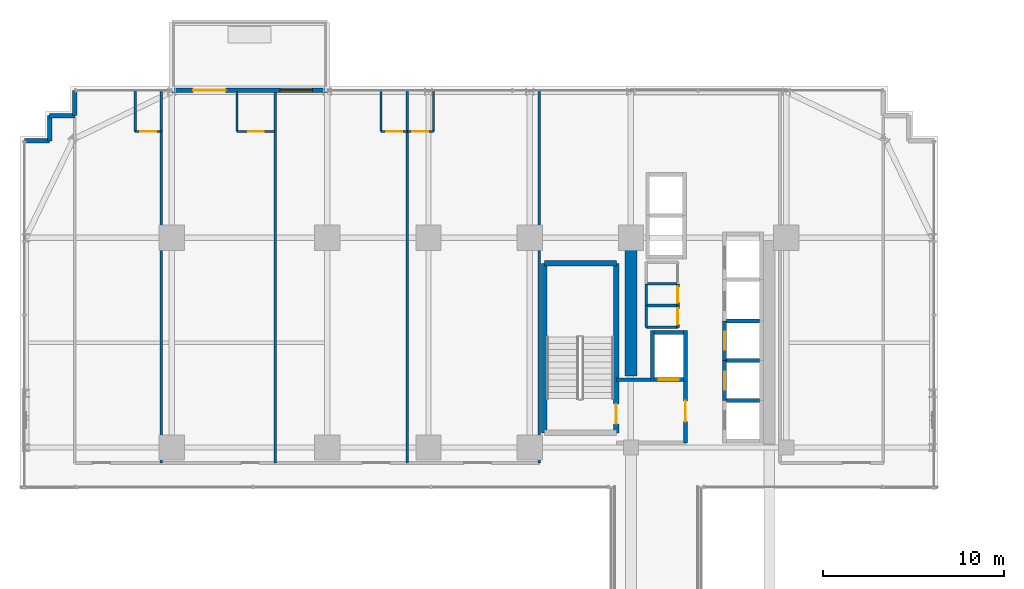
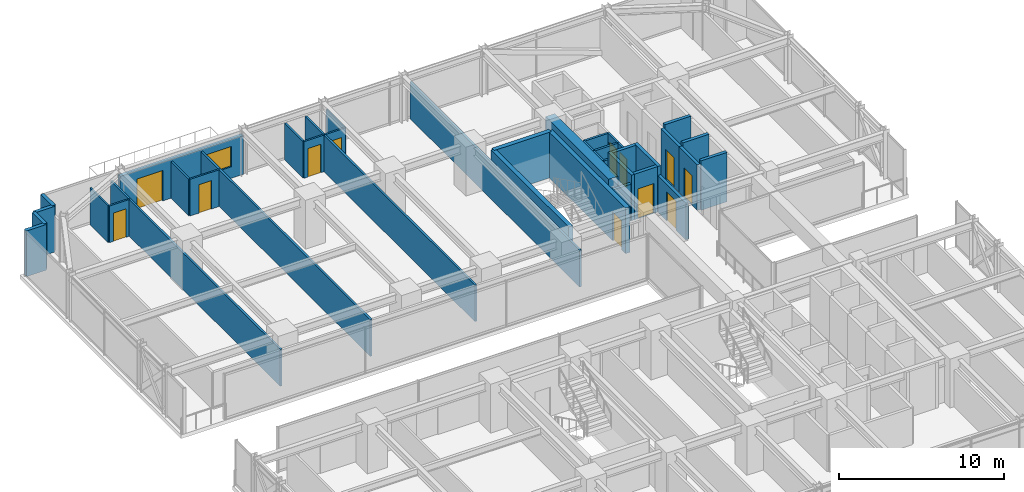
# One storey, part 36 of 41: 39 walls, 12 doors, 1 window, 13 openings.
"""IFC4 building model written with IfcOpenShell, lengths in metres."""

from ifc_helpers import new_model, si_unit, direction, frame, frame_2d, origin, place, context, subcontext, project, spatial, rectangle, extrude, source, transform, mapped, material, layer, layer_set, type_object, element, fill, save


model = new_model("IFC4")

# Units and contexts
model_context = context("Model", 3, precision=1e-05, world=origin(), true_north=direction((0.0, 1.0)))
body_context = subcontext(model_context, "Body", "Model", "MODEL_VIEW")
ifc_project = project(units=[si_unit("LENGTHUNIT", "METRE"), si_unit("AREAUNIT", "SQUARE_METRE"), si_unit("VOLUMEUNIT", "CUBIC_METRE"), si_unit("PLANEANGLEUNIT", "RADIAN"), si_unit("MASSUNIT", "GRAM", prefix="KILO")], contexts=[model_context])

# Site, building, storey
site_placement = place(None, origin())
site = spatial("IfcSite", under=ifc_project, at=site_placement, CompositionType="ELEMENT")
building_placement = place(site_placement, origin())
building = spatial("IfcBuilding", under=site, at=building_placement, Name="Nahalor Promenade Grand Hotel", CompositionType="ELEMENT")
storey_placement = place(building_placement, frame((0.0, 0.0, 54.300048828125)))
storey = spatial("IfcBuildingStorey", under=building, at=storey_placement, Name="L12", CompositionType="ELEMENT", Elevation=54.300048828125)

# Walls
ifc_material_1 = material(Name="Concrete B-60 (C50/60)", Category="concrete")
ifc_layer_1 = layer(ifc_material_1, 0.64990234375)
ifc_layer_set_1 = layer_set([ifc_layer_1], Name="Concrete B-60 (C50/60)")
wall_type_1 = type_object("IfcWallType", Name="Wall-CoreShear-650", PredefinedType="SHEAR", material=ifc_layer_set_1)
shared_shape_1 = source(origin(), body_context, "Body", "SweptSolid", [
    extrude(rectangle(XDim=7.64990234375, YDim=0.64990234375, at=frame_2d((3.824951171875, 0.0))), origin(), (0.0, 0.0, 1.0), 3.369873046875),
])
wall_1_placement = place(storey_placement, frame((8.39990234375, 9.35009765625, 0.0), z_axis=(0.0, 0.0, 1.0), x_axis=(0.0, 1.0, 0.0)))
element("IfcWall", 1, at=wall_1_placement, inside=storey, type_object=wall_type_1, Name="CWALL-L12-NW", PredefinedType="SHEAR", context=body_context, shape_type="MappedRepresentation", body=[
    mapped(shared_shape_1, transform((0.0, 0.0, 0.0), scale=1.0)),
])
ifc_material_2 = material(Name="Concrete B-50 (C40/50)", Category="concrete")
ifc_layer_2 = layer(ifc_material_2, 0.300048828125)
ifc_layer_set_2 = layer_set([ifc_layer_2], Name="Concrete B-50 (C40/50)")
wall_type_2 = type_object("IfcWallType", Name="Wall-ShaftShear-300", PredefinedType="SHEAR", material=ifc_layer_set_2)
shared_shape_2 = source(origin(), body_context, "Body", "SweptSolid", [
    extrude(rectangle(XDim=3.97998046875, YDim=0.300048828125, at=frame_2d((1.989990234375, 0.0))), origin(), (0.0, 0.0, 1.0), 3.369873046875),
])
wall_2_placement = place(storey_placement, frame((3.610107421875, 15.590087890625, 0.0), z_axis=(0.0, 0.0, 1.0), x_axis=(1.0, 0.0, 0.0)))
element("IfcWall", 2, at=wall_2_placement, inside=storey, type_object=wall_type_2, Name="L12 Exit Stair ST1 Shaft Wall N", PredefinedType="SHEAR", context=body_context, shape_type="MappedRepresentation", body=[
    mapped(shared_shape_2, transform((0.0, 0.0, 0.0), scale=1.0)),
])
shared_shape_3 = source(origin(), body_context, "Body", "SweptSolid", [
    extrude(rectangle(XDim=9.380126953125, YDim=0.300048828125, at=frame_2d((4.68994140625, 0.0))), origin(), (0.0, 0.0, 1.0), 3.369873046875),
])
wall_3_placement = place(storey_placement, frame((3.610107421875, 6.2099609375, 0.0), z_axis=(0.0, 0.0, 1.0), x_axis=(0.0, 1.0, 0.0)))
element("IfcWall", 3, at=wall_3_placement, inside=storey, type_object=wall_type_2, Name="L12 Exit Stair ST1 Shaft Wall W", PredefinedType="SHEAR", context=body_context, shape_type="MappedRepresentation", body=[
    mapped(shared_shape_3, transform((0.0, 0.0, 0.0), scale=1.0)),
])

# Wall, opening, door
wall_4_placement = place(storey_placement, frame((7.590087890625, 6.2099609375, 0.0), z_axis=(0.0, 0.0, 1.0), x_axis=(0.0, 1.0, 0.0)))
wall_4 = element("IfcWall", 4, at=wall_4_placement, inside=storey, type_object=wall_type_2, Name="L12 Exit Stair ST1 Shaft Wall E", PredefinedType="SHEAR", context=body_context, shape_type="MappedRepresentation", body=[
    mapped(shared_shape_3, transform((0.0, 0.0, 0.0), scale=1.0)),
])
opening_1_placement = place(wall_4_placement, frame((0.489990234375, 0.0, 0.0)))
opening_1 = element("IfcOpeningElement", 5, at=opening_1_placement, cuts=wall_4, Name="Opening D-ST1", PredefinedType="OPENING", context=body_context, shape_type="SweptSolid", body=[
    extrude(rectangle(XDim=1.10009765625, YDim=2.14990234375, at=frame_2d((0.550048828125, 1.074951171875))), frame((0.0, 0.159912109375, 0.0), z_axis=(0.0, -1.0, 0.0), x_axis=(1.0, 0.0, 0.0)), (0.0, 0.0, 1.0), 0.320068359375),
])
ifc_material_3 = material(Name="Steel S355JR", Category="steel")
door_type_1 = type_object("IfcDoorType", Name="Door-StairFire-1100", OperationType="NOTDEFINED", PredefinedType="DOOR", material=ifc_material_3)
shared_shape_4 = source(origin(), body_context, "Body", "SweptSolid", [
    extrude(rectangle(XDim=1.10009765625, YDim=2.14990234375, at=frame_2d((0.550048828125, 1.074951171875))), frame((0.0, 0.02490234375, 0.0), z_axis=(0.0, -1.0, 0.0), x_axis=(1.0, 0.0, 0.0)), (0.0, 0.0, 1.0), 0.050048828125),
])
door_1_placement = place(opening_1_placement, origin())
door_1 = element("IfcDoor", 6, at=door_1_placement, inside=storey, type_object=door_type_1, Name="DR-STAIR-ST1-L12", OperationType="SINGLE_SWING_LEFT", OverallHeight=2.14990234375, OverallWidth=1.10009765625, PredefinedType="DOOR", context=body_context, shape_type="MappedRepresentation", body=[
    mapped(shared_shape_4, transform((0.0, 0.0, 0.0), scale=1.0)),
])
fill(opening_1, door_1)

# Walls
ifc_layer_3 = layer(ifc_material_2, 0.219970703125)
ifc_layer_set_3 = layer_set([ifc_layer_3], Name="Concrete B-50 (C40/50)")
wall_type_3 = type_object("IfcWallType", Name="Wall-LiftShaft-220", PredefinedType="SHEAR", material=ifc_layer_set_3)
shared_shape_5 = source(origin(), body_context, "Body", "SweptSolid", [
    extrude(rectangle(XDim=1.820068359375, YDim=0.219970703125, at=frame_2d((0.91015625, 0.0))), origin(), (0.0, 0.0, 1.0), 3.64990234375),
])
for number, where, z_axis, x_axis, name in (
    (7, (13.68994140625, 8.0, 0.0), (0.0, 0.0, 1.0), (1.0, 0.0, 0.0), "L12 Lift PL1 Hoistway Wall N"),
    (8, (13.68994140625, 10.199951171875, 0.0), (0.0, 0.0, 1.0), (1.0, 0.0, 0.0), "L12 Lift PL2 Hoistway Wall N"),
    (9, (13.68994140625, 12.39990234375, 0.0), (0.0, 0.0, 1.0), (1.0, 0.0, 0.0), "L12 Lift PL3 Hoistway Wall N"),
):
    element("IfcWall", number, at=place(storey_placement, frame(where, z_axis=z_axis, x_axis=x_axis)), inside=storey, type_object=wall_type_3, Name=name, PredefinedType="SHEAR", context=body_context, shape_type="MappedRepresentation", body=[
        mapped(shared_shape_5, transform((0.0, 0.0, 0.0), scale=1.0)),
    ])

# Wall, opening, door
shared_shape_6 = source(origin(), body_context, "Body", "SweptSolid", [
    extrude(rectangle(XDim=2.199951171875, YDim=0.219970703125, at=frame_2d((1.10009765625, 0.0))), origin(), (0.0, 0.0, 1.0), 3.369873046875),
])
wall_5_placement = place(storey_placement, frame((13.580078125, 8.0, 0.0), z_axis=(0.0, 0.0, 1.0), x_axis=(0.0, 1.0, 0.0)))
wall_5 = element("IfcWall", 10, at=wall_5_placement, inside=storey, type_object=wall_type_3, Name="L12 Lift PL2 Hoistway Wall W", PredefinedType="SHEAR", context=body_context, shape_type="MappedRepresentation", body=[
    mapped(shared_shape_6, transform((0.0, 0.0, 0.0), scale=1.0)),
])
opening_2_placement = place(wall_5_placement, frame((0.60009765625, 0.0, 0.0)))
opening_2 = element("IfcOpeningElement", 11, at=opening_2_placement, cuts=wall_5, Name="Opening LD-01", PredefinedType="OPENING", context=body_context, shape_type="SweptSolid", body=[
    extrude(rectangle(XDim=1.0, YDim=2.199951171875, at=frame_2d((0.5, 1.10009765625))), frame((0.0, 0.119873046875, 0.0), z_axis=(0.0, -1.0, 0.0), x_axis=(1.0, 0.0, 0.0)), (0.0, 0.0, 1.0), 0.239990234375),
])
door_type_2 = type_object("IfcDoorType", Name="Door-LiftLanding-1000", OperationType="DOUBLE_DOOR_SLIDING", PredefinedType="DOOR", material=ifc_material_3)
shared_shape_7 = source(origin(), body_context, "Body", "SweptSolid", [
    extrude(rectangle(XDim=1.0, YDim=2.199951171875, at=frame_2d((0.5, 1.10009765625))), frame((0.0, 0.02490234375, 0.0), z_axis=(0.0, -1.0, 0.0), x_axis=(1.0, 0.0, 0.0)), (0.0, 0.0, 1.0), 0.050048828125),
])
door_2_placement = place(opening_2_placement, origin())
door_2 = element("IfcDoor", 12, at=door_2_placement, inside=storey, type_object=door_type_2, Name="DR-LIFT-PL2-L12", OperationType="DOUBLE_DOOR_SLIDING", OverallHeight=2.199951171875, OverallWidth=1.0, PredefinedType="DOOR", context=body_context, shape_type="MappedRepresentation", body=[
    mapped(shared_shape_7, transform((0.0, 0.0, 0.0), scale=1.0)),
])
fill(opening_2, door_2)

wall_6_placement = place(storey_placement, frame((13.580078125, 10.199951171875, 0.0), z_axis=(0.0, 0.0, 1.0), x_axis=(0.0, 1.0, 0.0)))
wall_6 = element("IfcWall", 13, at=wall_6_placement, inside=storey, type_object=wall_type_3, Name="L12 Lift PL3 Hoistway Wall W", PredefinedType="SHEAR", context=body_context, shape_type="MappedRepresentation", body=[
    mapped(shared_shape_6, transform((0.0, 0.0, 0.0), scale=1.0)),
])
opening_3_placement = place(wall_6_placement, frame((0.60009765625, 0.0, 0.0)))
opening_3 = element("IfcOpeningElement", 14, at=opening_3_placement, cuts=wall_6, Name="Opening LD-01", PredefinedType="OPENING", context=body_context, shape_type="SweptSolid", body=[
    extrude(rectangle(XDim=1.0, YDim=2.199951171875, at=frame_2d((0.5, 1.10009765625))), frame((0.0, 0.119873046875, 0.0), z_axis=(0.0, -1.0, 0.0), x_axis=(1.0, 0.0, 0.0)), (0.0, 0.0, 1.0), 0.239990234375),
])
door_3_placement = place(opening_3_placement, origin())
door_3 = element("IfcDoor", 15, at=door_3_placement, inside=storey, type_object=door_type_2, Name="DR-LIFT-PL3-L12", OperationType="DOUBLE_DOOR_SLIDING", OverallHeight=2.199951171875, OverallWidth=1.0, PredefinedType="DOOR", context=body_context, shape_type="MappedRepresentation", body=[
    mapped(shared_shape_7, transform((0.0, 0.0, 0.0), scale=1.0)),
])
fill(opening_3, door_3)

# Walls
shared_shape_8 = source(origin(), body_context, "Body", "SweptSolid", [
    extrude(rectangle(XDim=2.820068359375, YDim=0.219970703125, at=frame_2d((1.41015625, 0.0))), origin(), (0.0, 0.0, 1.0), 3.369873046875),
])
for number, where, z_axis, x_axis, name in (
    (16, (9.580078125, 9.0400390625, 0.0), (0.0, 0.0, 1.0), (0.0, 1.0, 0.0), "L12 Lift FL1 Hoistway Wall W"),
    (17, (11.419921875, 9.0400390625, 0.0), (0.0, 0.0, 1.0), (0.0, 1.0, 0.0), "L12 Lift FL1 Hoistway Wall E"),
):
    element("IfcWall", number, at=place(storey_placement, frame(where, z_axis=z_axis, x_axis=x_axis)), inside=storey, type_object=wall_type_3, Name=name, PredefinedType="SHEAR", context=body_context, shape_type="MappedRepresentation", body=[
        mapped(shared_shape_8, transform((0.0, 0.0, 0.0), scale=1.0)),
    ])

# Wall, opening, door
shared_shape_9 = source(origin(), body_context, "Body", "SweptSolid", [
    extrude(rectangle(XDim=1.6201171875, YDim=0.219970703125, at=frame_2d((0.81005859375, 0.0))), origin(), (0.0, 0.0, 1.0), 3.369873046875),
])
wall_7_placement = place(storey_placement, frame((9.68994140625, 9.14990234375, 0.0), z_axis=(0.0, 0.0, 1.0), x_axis=(1.0, 0.0, 0.0)))
wall_7 = element("IfcWall", 18, at=wall_7_placement, inside=storey, type_object=wall_type_3, Name="L12 Lift FL1 Hoistway Wall S", PredefinedType="SHEAR", context=body_context, shape_type="MappedRepresentation", body=[
    mapped(shared_shape_9, transform((0.0, 0.0, 0.0), scale=1.0)),
])
opening_4_placement = place(wall_7_placement, frame((0.260009765625, 0.0, 0.0)))
opening_4 = element("IfcOpeningElement", 19, at=opening_4_placement, cuts=wall_7, Name="Opening LD-02", PredefinedType="OPENING", context=body_context, shape_type="SweptSolid", body=[
    extrude(rectangle(XDim=1.10009765625, YDim=2.199951171875, at=frame_2d((0.550048828125, 1.10009765625))), frame((0.0, 0.119873046875, 0.0), z_axis=(0.0, -1.0, 0.0), x_axis=(1.0, 0.0, 0.0)), (0.0, 0.0, 1.0), 0.239990234375),
])
door_type_3 = type_object("IfcDoorType", Name="Door-LiftFF-1100", OperationType="DOUBLE_DOOR_SLIDING", PredefinedType="DOOR", material=ifc_material_3)
shared_shape_10 = source(origin(), body_context, "Body", "SweptSolid", [
    extrude(rectangle(XDim=1.10009765625, YDim=2.199951171875, at=frame_2d((0.550048828125, 1.10009765625))), frame((0.0, 0.02490234375, 0.0), z_axis=(0.0, -1.0, 0.0), x_axis=(1.0, 0.0, 0.0)), (0.0, 0.0, 1.0), 0.050048828125),
])
door_4_placement = place(opening_4_placement, frame((1.10009765625, 0.0, 0.0), z_axis=(0.0, 0.0, 1.0), x_axis=(-1.0, 0.0, 0.0)))
door_4 = element("IfcDoor", 20, at=door_4_placement, inside=storey, type_object=door_type_3, Name="DR-LIFT-FL1-L12", OperationType="DOUBLE_DOOR_SLIDING", OverallHeight=2.199951171875, OverallWidth=1.10009765625, PredefinedType="DOOR", context=body_context, shape_type="MappedRepresentation", body=[
    mapped(shared_shape_10, transform((0.0, 0.0, 0.0), scale=1.0)),
])
fill(opening_4, door_4)

# Walls
wall_8_placement = place(storey_placement, frame((9.68994140625, 11.75, 0.0), z_axis=(0.0, 0.0, 1.0), x_axis=(1.0, 0.0, 0.0)))
element("IfcWall", 21, at=wall_8_placement, inside=storey, type_object=wall_type_3, Name="L12 Lift FL1 Hoistway Wall N", PredefinedType="SHEAR", context=body_context, shape_type="MappedRepresentation", body=[
    mapped(shared_shape_9, transform((0.0, 0.0, 0.0), scale=1.0)),
])
ifc_material_4 = material(Name="Concrete B-40 (C32/40)", Category="concrete")
ifc_layer_4 = layer(ifc_material_4, 0.25)
ifc_layer_set_4 = layer_set([ifc_layer_4], Name="Concrete B-40 (C32/40)")
wall_type_4 = type_object("IfcWallType", Name="Wall-BronzePier-250", PredefinedType="STANDARD", material=ifc_layer_set_4)
shared_shape_11 = source(origin(), body_context, "Body", "SweptSolid", [
    extrude(rectangle(XDim=1.39990234375, YDim=0.25, at=frame_2d((0.699951171875, 0.0))), origin(), (0.0, 0.0, 1.0), 3.369873046875),
])
for number, where, z_axis, x_axis, name in (
    (22, (-22.360107421875, 23.760009765625, 0.0), (0.0, 0.0, 1.0), (0.0, 1.0, 0.0), "W-L12-SR-09"),
    (23, (-23.760009765625, 23.760009765625, 0.0), (0.0, 0.0, 1.0), (1.0, 0.0, 0.0), "W-L12-SR-10"),
    (24, (-23.760009765625, 22.360107421875, 0.0), (0.0, 0.0, 1.0), (0.0, 1.0, 0.0), "W-L12-SR-11"),
    (25, (-25.159912109375, 22.360107421875, 0.0), (0.0, 0.0, 1.0), (1.0, 0.0, 0.0), "W-L12-SR-12"),
):
    element("IfcWall", number, at=place(storey_placement, frame(where, z_axis=z_axis, x_axis=x_axis)), inside=storey, type_object=wall_type_4, Name=name, PredefinedType="STANDARD", context=body_context, shape_type="MappedRepresentation", body=[
        mapped(shared_shape_11, transform((0.0, 0.0, 0.0), scale=1.0)),
    ])

# Wall, openings, door, window
ifc_layer_5 = layer(ifc_material_4, 0.260009765625)
ifc_layer_set_5 = layer_set([ifc_layer_5], Name="Concrete B-40 (C32/40)")
wall_type_5 = type_object("IfcWallType", Name="Wall-BalconyWall-260", PredefinedType="STANDARD", material=ifc_layer_set_5)
shared_shape_12 = source(origin(), body_context, "Body", "SweptSolid", [
    extrude(rectangle(XDim=8.60009765625, YDim=0.260009765625, at=frame_2d((4.300048828125, 0.0))), origin(), (0.0, 0.0, 1.0), 2.849853515625),
])
wall_9_placement = place(storey_placement, frame((-17.0, 25.159912109375, 0.0), z_axis=(0.0, 0.0, 1.0), x_axis=(1.0, 0.0, 0.0)))
wall_9 = element("IfcWall", 26, at=wall_9_placement, inside=storey, type_object=wall_type_5, Name="W-L12-BALC-N-2", PredefinedType="STANDARD", context=body_context, shape_type="MappedRepresentation", body=[
    mapped(shared_shape_12, transform((0.0, 0.0, 0.0), scale=1.0)),
])
opening_5_placement = place(wall_9_placement, frame((1.176025390625, 0.0, 0.0)))
opening_5 = element("IfcOpeningElement", 27, at=opening_5_placement, cuts=wall_9, Name="Opening D-BC1", PredefinedType="OPENING", context=body_context, shape_type="SweptSolid", body=[
    extrude(rectangle(XDim=1.800048828125, YDim=2.25, at=frame_2d((0.89990234375, 1.125))), frame((0.0, 0.139892578125, 0.0), z_axis=(0.0, -1.0, 0.0), x_axis=(1.0, 0.0, 0.0)), (0.0, 0.0, 1.0), 0.280029296875),
])
opening_6_placement = place(wall_9_placement, frame((5.98095703125, 0.0, 0.85009765625)))
opening_6 = element("IfcOpeningElement", 28, at=opening_6_placement, cuts=wall_9, Name="Opening WN-01", PredefinedType="OPENING", context=body_context, shape_type="SweptSolid", body=[
    extrude(rectangle(XDim=1.800048828125, YDim=1.5, at=frame_2d((0.89990234375, 0.75))), frame((0.0, 0.139892578125, 0.0), z_axis=(0.0, -1.0, 0.0), x_axis=(1.0, 0.0, 0.0)), (0.0, 0.0, 1.0), 0.280029296875),
])
ifc_material_5 = material(Name="Anodised Bronze Aluminium EN AW-6063 T6", Category="aluminium")
door_type_4 = type_object("IfcDoorType", Name="Door-BalconySlide-1800", OperationType="DOUBLE_DOOR_SLIDING", PredefinedType="DOOR", material=ifc_material_5)
shared_shape_13 = source(origin(), body_context, "Body", "SweptSolid", [
    extrude(rectangle(XDim=1.800048828125, YDim=2.25, at=frame_2d((0.89990234375, 1.125))), frame((0.0, 0.02490234375, 0.0), z_axis=(0.0, -1.0, 0.0), x_axis=(1.0, 0.0, 0.0)), (0.0, 0.0, 1.0), 0.050048828125),
])
door_5_placement = place(opening_5_placement, origin())
door_5 = element("IfcDoor", 29, at=door_5_placement, inside=storey, type_object=door_type_4, Name="DR-L12-BALC-N-2", OperationType="DOUBLE_DOOR_SLIDING", OverallHeight=2.25, OverallWidth=1.800048828125, PredefinedType="DOOR", context=body_context, shape_type="MappedRepresentation", body=[
    mapped(shared_shape_13, transform((0.0, 0.0, 0.0), scale=1.0)),
])
fill(opening_5, door_5)
ifc_material_6 = material(Name="Low-E Laminated Solar Glass", Category="glass")
window_type = type_object("IfcWindowType", Name="Win-ChicagoBay-1800x1500", PartitioningType="SINGLE_PANEL", PredefinedType="WINDOW", material=ifc_material_6)
shared_shape_14 = source(origin(), body_context, "Body", "SweptSolid", [
    extrude(rectangle(XDim=1.800048828125, YDim=1.5, at=frame_2d((0.89990234375, 0.75))), frame((0.0, 0.030029296875, 0.0), z_axis=(0.0, -1.0, 0.0), x_axis=(1.0, 0.0, 0.0)), (0.0, 0.0, 1.0), 0.06005859375),
])
window_placement = place(opening_6_placement, origin())
window = element("IfcWindow", 30, at=window_placement, inside=storey, type_object=window_type, Name="WN-L12-BALC-N-2-1", OverallHeight=1.5, OverallWidth=1.800048828125, PartitioningType="SINGLE_PANEL", PredefinedType="WINDOW", context=body_context, shape_type="MappedRepresentation", body=[
    mapped(shared_shape_14, transform((0.0, 0.0, 0.0), scale=1.0)),
])
fill(opening_6, window)

# Wall
ifc_layer_6 = layer(ifc_material_4, 0.199951171875)
ifc_layer_set_6 = layer_set([ifc_layer_6], Name="Concrete B-40 (C32/40)")
wall_type_6 = type_object("IfcWallType", Name="Wall-PartFire-200", PredefinedType="PARTITIONING", material=ifc_layer_set_6)
shared_shape_15 = source(origin(), body_context, "Body", "SweptSolid", [
    extrude(rectangle(XDim=1.89990234375, YDim=0.199951171875, at=frame_2d((0.949951171875, 0.0))), origin(), (0.0, 0.0, 1.0), 2.7099609375),
])
wall_10_placement = place(storey_placement, frame((7.60009765625, 9.14990234375, 0.0), z_axis=(0.0, 0.0, 1.0), x_axis=(1.0, 0.0, 0.0)))
element("IfcWall", 31, at=wall_10_placement, inside=storey, type_object=wall_type_6, Name="W-L12-FF1-N", PredefinedType="PARTITIONING", context=body_context, shape_type="MappedRepresentation", body=[
    mapped(shared_shape_15, transform((0.0, 0.0, 0.0), scale=1.0)),
])

# Wall, opening, door
shared_shape_16 = source(origin(), body_context, "Body", "SweptSolid", [
    extrude(rectangle(XDim=3.5, YDim=0.199951171875, at=frame_2d((1.75, 0.0))), origin(), (0.0, 0.0, 1.0), 2.7099609375),
])
wall_11_placement = place(storey_placement, frame((11.419921875, 5.64990234375, 0.0), z_axis=(0.0, 0.0, 1.0), x_axis=(0.0, 1.0, 0.0)))
wall_11 = element("IfcWall", 32, at=wall_11_placement, inside=storey, type_object=wall_type_6, Name="W-L12-FF1-E", PredefinedType="PARTITIONING", context=body_context, shape_type="MappedRepresentation", body=[
    mapped(shared_shape_16, transform((0.0, 0.0, 0.0), scale=1.0)),
])
opening_7_placement = place(wall_11_placement, frame((1.175048828125, 0.0, 0.0)))
opening_7 = element("IfcOpeningElement", 33, at=opening_7_placement, cuts=wall_11, Name="Opening D-FF1", PredefinedType="OPENING", context=body_context, shape_type="SweptSolid", body=[
    extrude(rectangle(XDim=1.14990234375, YDim=2.14990234375, at=frame_2d((0.574951171875, 1.074951171875))), frame((0.0, 0.10986328125, 0.0), z_axis=(0.0, -1.0, 0.0), x_axis=(1.0, 0.0, 0.0)), (0.0, 0.0, 1.0), 0.219970703125),
])
door_type_5 = type_object("IfcDoorType", Name="Door-FFLobby-1150", OperationType="NOTDEFINED", PredefinedType="DOOR", material=ifc_material_3)
shared_shape_17 = source(origin(), body_context, "Body", "SweptSolid", [
    extrude(rectangle(XDim=1.14990234375, YDim=2.14990234375, at=frame_2d((0.574951171875, 1.074951171875))), frame((0.0, 0.02490234375, 0.0), z_axis=(0.0, -1.0, 0.0), x_axis=(1.0, 0.0, 0.0)), (0.0, 0.0, 1.0), 0.050048828125),
])
door_6_placement = place(opening_7_placement, frame((1.14990234375, 0.0, 0.0), z_axis=(0.0, 0.0, 1.0), x_axis=(-1.0, 0.0, 0.0)))
door_6 = element("IfcDoor", 34, at=door_6_placement, inside=storey, type_object=door_type_5, Name="DR-L12-FFL1", OperationType="SINGLE_SWING_LEFT", OverallHeight=2.14990234375, OverallWidth=1.14990234375, PredefinedType="DOOR", context=body_context, shape_type="MappedRepresentation", body=[
    mapped(shared_shape_17, transform((0.0, 0.0, 0.0), scale=1.0)),
])
fill(opening_7, door_6)

# Walls
ifc_material_7 = material(Name="Acoustic Mineral Gypsum", Category="gypsum")
ifc_layer_7 = layer(ifc_material_7, 0.14990234375)
ifc_layer_set_7 = layer_set([ifc_layer_7], Name="Acoustic Mineral Gypsum")
wall_type_7 = type_object("IfcWallType", Name="Wall-PartService-150", PredefinedType="PARTITIONING", material=ifc_layer_set_7)
shared_shape_18 = source(origin(), body_context, "Body", "SweptSolid", [
    extrude(rectangle(XDim=1.75, YDim=0.14990234375, at=frame_2d((0.875, 0.0))), origin(), (0.0, 0.0, 1.0), 2.7099609375),
])
for number, where, z_axis, x_axis, name in (
    (35, (9.25, 12.050048828125, 0.0), (0.0, 0.0, 1.0), (1.0, 0.0, 0.0), "W-L12-CK3A-S"),
    (36, (9.25, 13.25, 0.0), (0.0, 0.0, 1.0), (1.0, 0.0, 0.0), "W-L12-CK3A-N"),
    (37, (9.25, 14.449951171875, 0.0), (0.0, 0.0, 1.0), (1.0, 0.0, 0.0), "W-L12-CK3B-N"),
):
    element("IfcWall", number, at=place(storey_placement, frame(where, z_axis=z_axis, x_axis=x_axis)), inside=storey, type_object=wall_type_7, Name=name, PredefinedType="PARTITIONING", context=body_context, shape_type="MappedRepresentation", body=[
        mapped(shared_shape_18, transform((0.0, 0.0, 0.0), scale=1.0)),
    ])
ifc_layer_8 = layer(ifc_material_7, 0.139892578125)
ifc_layer_set_8 = layer_set([ifc_layer_8], Name="Acoustic Mineral Gypsum")
wall_type_8 = type_object("IfcWallType", Name="Wall-PartSuite-140", PredefinedType="PARTITIONING", material=ifc_layer_set_8)
shared_shape_19 = source(origin(), body_context, "Body", "SweptSolid", [
    extrude(rectangle(XDim=20.550048828125, YDim=0.139892578125, at=frame_2d((10.27490234375, 0.0))), origin(), (0.0, 0.0, 1.0), 2.7099609375),
])
for number, where, z_axis, x_axis, name in (
    (38, (3.340087890625, 4.550048828125, 0.0), (0.0, 0.0, 1.0), (0.0, 1.0, 0.0), "W-L12-NW-ENDE"),
    (39, (-17.573974609375, 4.550048828125, 0.0), (0.0, 0.0, 1.0), (0.0, 1.0, 0.0), "W-L12-NP-1"),
    (40, (-11.2880859375, 4.550048828125, 0.0), (0.0, 0.0, 1.0), (0.0, 1.0, 0.0), "W-L12-NP-2"),
    (41, (-3.97412109375, 4.550048828125, 0.0), (0.0, 0.0, 1.0), (0.0, 1.0, 0.0), "W-L12-NP-3"),
):
    element("IfcWall", number, at=place(storey_placement, frame(where, z_axis=z_axis, x_axis=x_axis)), inside=storey, type_object=wall_type_8, Name=name, PredefinedType="PARTITIONING", context=body_context, shape_type="MappedRepresentation", body=[
        mapped(shared_shape_19, transform((0.0, 0.0, 0.0), scale=1.0)),
    ])

# Wall, opening, door
ifc_layer_9 = layer(ifc_material_7, 0.1201171875)
ifc_layer_set_9 = layer_set([ifc_layer_9], Name="Acoustic Mineral Gypsum")
wall_type_9 = type_object("IfcWallType", Name="Wall-PartBath-120", PredefinedType="PARTITIONING", material=ifc_layer_set_9)
shared_shape_20 = source(origin(), body_context, "Body", "SweptSolid", [
    extrude(rectangle(XDim=1.4501953125, YDim=0.1201171875, at=frame_2d((0.72509765625, 0.0))), origin(), (0.0, 0.0, 1.0), 2.7099609375),
])
wall_12_placement = place(storey_placement, frame((-3.97412109375, 22.8798828125, 0.0), z_axis=(0.0, 0.0, 1.0), x_axis=(1.0, 0.0, 0.0)))
wall_12 = element("IfcWall", 42, at=wall_12_placement, inside=storey, type_object=wall_type_9, Name="W-L12-N4-BH", PredefinedType="PARTITIONING", context=body_context, shape_type="MappedRepresentation", body=[
    mapped(shared_shape_20, transform((0.0, 0.0, 0.0), scale=1.0)),
])
opening_8_placement = place(wall_12_placement, frame((0.284912109375, 0.0, 0.0)))
opening_8 = element("IfcOpeningElement", 43, at=opening_8_placement, cuts=wall_12, Name="Opening D-03", PredefinedType="OPENING", context=body_context, shape_type="SweptSolid", body=[
    extrude(rectangle(XDim=0.8798828125, YDim=2.10009765625, at=frame_2d((0.43994140625, 1.050048828125))), frame((0.0, 0.070068359375, 0.0), z_axis=(0.0, -1.0, 0.0), x_axis=(1.0, 0.0, 0.0)), (0.0, 0.0, 1.0), 0.14013671875),
])
ifc_material_8 = material(Name="Fire-Rated Timber Composite", Category="wood")
door_type_6 = type_object("IfcDoorType", Name="Door-BathSwing-880", OperationType="NOTDEFINED", PredefinedType="DOOR", material=ifc_material_8)
shared_shape_21 = source(origin(), body_context, "Body", "SweptSolid", [
    extrude(rectangle(XDim=0.8798828125, YDim=2.10009765625, at=frame_2d((0.43994140625, 1.050048828125))), frame((0.0, 0.02490234375, 0.0), z_axis=(0.0, -1.0, 0.0), x_axis=(1.0, 0.0, 0.0)), (0.0, 0.0, 1.0), 0.050048828125),
])
door_7_placement = place(opening_8_placement, origin())
door_7 = element("IfcDoor", 44, at=door_7_placement, inside=storey, type_object=door_type_6, Name="DR-L12-N4-BATH", OperationType="SINGLE_SWING_LEFT", OverallHeight=2.10009765625, OverallWidth=0.8798828125, PredefinedType="DOOR", context=body_context, shape_type="MappedRepresentation", body=[
    mapped(shared_shape_21, transform((0.0, 0.0, 0.0), scale=1.0)),
])
fill(opening_8, door_7)

# Walls
shared_shape_22 = source(origin(), body_context, "Body", "SweptSolid", [
    extrude(rectangle(XDim=2.22021484375, YDim=0.1201171875, at=frame_2d((1.110107421875, 0.0))), origin(), (0.0, 0.0, 1.0), 2.7099609375),
])
for number, where, z_axis, x_axis, name in (
    (45, (-19.02392578125, 22.8798828125, 0.0), (0.0, 0.0, 1.0), (0.0, 1.0, 0.0), "W-L12-N1-BV"),
    (46, (-13.39794921875, 22.8798828125, 0.0), (0.0, 0.0, 1.0), (0.0, 1.0, 0.0), "W-L12-N2-BV"),
    (47, (-5.424072265625, 22.8798828125, 0.0), (0.0, 0.0, 1.0), (0.0, 1.0, 0.0), "W-L12-N3-BV"),
    (48, (-2.52392578125, 22.8798828125, 0.0), (0.0, 0.0, 1.0), (0.0, 1.0, 0.0), "W-L12-N4-BV"),
):
    element("IfcWall", number, at=place(storey_placement, frame(where, z_axis=z_axis, x_axis=x_axis)), inside=storey, type_object=wall_type_9, Name=name, PredefinedType="PARTITIONING", context=body_context, shape_type="MappedRepresentation", body=[
        mapped(shared_shape_22, transform((0.0, 0.0, 0.0), scale=1.0)),
    ])

# Wall, opening, door
shared_shape_23 = source(origin(), body_context, "Body", "SweptSolid", [
    extrude(rectangle(XDim=1.449951171875, YDim=0.1201171875, at=frame_2d((0.72509765625, 0.0))), origin(), (0.0, 0.0, 1.0), 2.7099609375),
])
wall_13_placement = place(storey_placement, frame((-19.02392578125, 22.8798828125, 0.0), z_axis=(0.0, 0.0, 1.0), x_axis=(1.0, 0.0, 0.0)))
wall_13 = element("IfcWall", 49, at=wall_13_placement, inside=storey, type_object=wall_type_9, Name="W-L12-N1-BH", PredefinedType="PARTITIONING", context=body_context, shape_type="MappedRepresentation", body=[
    mapped(shared_shape_23, transform((0.0, 0.0, 0.0), scale=1.0)),
])
opening_9_placement = place(wall_13_placement, frame((0.284912109375, 0.0, 0.0)))
opening_9 = element("IfcOpeningElement", 50, at=opening_9_placement, cuts=wall_13, Name="Opening D-03", PredefinedType="OPENING", context=body_context, shape_type="SweptSolid", body=[
    extrude(rectangle(XDim=0.8798828125, YDim=2.10009765625, at=frame_2d((0.43994140625, 1.050048828125))), frame((0.0, 0.070068359375, 0.0), z_axis=(0.0, -1.0, 0.0), x_axis=(1.0, 0.0, 0.0)), (0.0, 0.0, 1.0), 0.14013671875),
])
door_8_placement = place(opening_9_placement, origin())
door_8 = element("IfcDoor", 51, at=door_8_placement, inside=storey, type_object=door_type_6, Name="DR-L12-N1-BATH", OperationType="SINGLE_SWING_RIGHT", OverallHeight=2.10009765625, OverallWidth=0.8798828125, PredefinedType="DOOR", context=body_context, shape_type="MappedRepresentation", body=[
    mapped(shared_shape_21, transform((0.0, 0.0, 0.0), scale=1.0)),
])
fill(opening_9, door_8)

wall_14_placement = place(storey_placement, frame((-5.424072265625, 22.8798828125, 0.0), z_axis=(0.0, 0.0, 1.0), x_axis=(1.0, 0.0, 0.0)))
wall_14 = element("IfcWall", 52, at=wall_14_placement, inside=storey, type_object=wall_type_9, Name="W-L12-N3-BH", PredefinedType="PARTITIONING", context=body_context, shape_type="MappedRepresentation", body=[
    mapped(shared_shape_23, transform((0.0, 0.0, 0.0), scale=1.0)),
])
opening_10_placement = place(wall_14_placement, frame((0.284912109375, 0.0, 0.0)))
opening_10 = element("IfcOpeningElement", 53, at=opening_10_placement, cuts=wall_14, Name="Opening D-03", PredefinedType="OPENING", context=body_context, shape_type="SweptSolid", body=[
    extrude(rectangle(XDim=0.8798828125, YDim=2.10009765625, at=frame_2d((0.43994140625, 1.050048828125))), frame((0.0, 0.070068359375, 0.0), z_axis=(0.0, -1.0, 0.0), x_axis=(1.0, 0.0, 0.0)), (0.0, 0.0, 1.0), 0.14013671875),
])
door_9_placement = place(opening_10_placement, origin())
door_9 = element("IfcDoor", 54, at=door_9_placement, inside=storey, type_object=door_type_6, Name="DR-L12-N3-BATH", OperationType="SINGLE_SWING_RIGHT", OverallHeight=2.10009765625, OverallWidth=0.8798828125, PredefinedType="DOOR", context=body_context, shape_type="MappedRepresentation", body=[
    mapped(shared_shape_21, transform((0.0, 0.0, 0.0), scale=1.0)),
])
fill(opening_10, door_9)

shared_shape_24 = source(origin(), body_context, "Body", "SweptSolid", [
    extrude(rectangle(XDim=2.10986328125, YDim=0.1201171875, at=frame_2d((1.054931640625, 0.0))), origin(), (0.0, 0.0, 1.0), 2.7099609375),
])
wall_15_placement = place(storey_placement, frame((-13.39794921875, 22.8798828125, 0.0), z_axis=(0.0, 0.0, 1.0), x_axis=(1.0, 0.0, 0.0)))
wall_15 = element("IfcWall", 55, at=wall_15_placement, inside=storey, type_object=wall_type_9, Name="W-L12-N2-BH", PredefinedType="PARTITIONING", context=body_context, shape_type="MappedRepresentation", body=[
    mapped(shared_shape_24, transform((0.0, 0.0, 0.0), scale=1.0)),
])
opening_11_placement = place(wall_15_placement, frame((0.614990234375, 0.0, 0.0)))
opening_11 = element("IfcOpeningElement", 56, at=opening_11_placement, cuts=wall_15, Name="Opening D-03", PredefinedType="OPENING", context=body_context, shape_type="SweptSolid", body=[
    extrude(rectangle(XDim=0.8798828125, YDim=2.10009765625, at=frame_2d((0.43994140625, 1.050048828125))), frame((0.0, 0.070068359375, 0.0), z_axis=(0.0, -1.0, 0.0), x_axis=(1.0, 0.0, 0.0)), (0.0, 0.0, 1.0), 0.14013671875),
])
door_10_placement = place(opening_11_placement, origin())
door_10 = element("IfcDoor", 57, at=door_10_placement, inside=storey, type_object=door_type_6, Name="DR-L12-N2-BATH", OperationType="SINGLE_SWING_RIGHT", OverallHeight=2.10009765625, OverallWidth=0.8798828125, PredefinedType="DOOR", context=body_context, shape_type="MappedRepresentation", body=[
    mapped(shared_shape_21, transform((0.0, 0.0, 0.0), scale=1.0)),
])
fill(opening_11, door_10)

# Wall
shared_shape_25 = source(origin(), body_context, "Body", "SweptSolid", [
    extrude(rectangle(XDim=1.199951171875, YDim=0.14990234375, at=frame_2d((0.60009765625, 0.0))), origin(), (0.0, 0.0, 1.0), 2.7099609375),
])
wall_16_placement = place(storey_placement, frame((9.25, 12.050048828125, 0.0), z_axis=(0.0, 0.0, 1.0), x_axis=(0.0, 1.0, 0.0)))
element("IfcWall", 58, at=wall_16_placement, inside=storey, type_object=wall_type_7, Name="W-L12-CK3A-W", PredefinedType="PARTITIONING", context=body_context, shape_type="MappedRepresentation", body=[
    mapped(shared_shape_25, transform((0.0, 0.0, 0.0), scale=1.0)),
])

# Wall, opening, door
wall_17_placement = place(storey_placement, frame((11.0, 12.050048828125, 0.0), z_axis=(0.0, 0.0, 1.0), x_axis=(0.0, 1.0, 0.0)))
wall_17 = element("IfcWall", 59, at=wall_17_placement, inside=storey, type_object=wall_type_7, Name="W-L12-CK3A-E", PredefinedType="PARTITIONING", context=body_context, shape_type="MappedRepresentation", body=[
    mapped(shared_shape_25, transform((0.0, 0.0, 0.0), scale=1.0)),
])
opening_12_placement = place(wall_17_placement, frame((0.159912109375, 0.0, 0.0)))
opening_12 = element("IfcOpeningElement", 60, at=opening_12_placement, cuts=wall_17, Name="Opening D-03", PredefinedType="OPENING", context=body_context, shape_type="SweptSolid", body=[
    extrude(rectangle(XDim=0.8798828125, YDim=2.10009765625, at=frame_2d((0.43994140625, 1.050048828125))), frame((0.0, 0.0849609375, 0.0), z_axis=(0.0, -1.0, 0.0), x_axis=(1.0, 0.0, 0.0)), (0.0, 0.0, 1.0), 0.169921875),
])
door_11_placement = place(opening_12_placement, origin())
door_11 = element("IfcDoor", 61, at=door_11_placement, inside=storey, type_object=door_type_6, Name="DR-L12-CK3A", OperationType="SINGLE_SWING_LEFT", OverallHeight=2.10009765625, OverallWidth=0.8798828125, PredefinedType="DOOR", context=body_context, shape_type="MappedRepresentation", body=[
    mapped(shared_shape_21, transform((0.0, 0.0, 0.0), scale=1.0)),
])
fill(opening_12, door_11)

# Wall
wall_18_placement = place(storey_placement, frame((9.25, 13.25, 0.0), z_axis=(0.0, 0.0, 1.0), x_axis=(0.0, 1.0, 0.0)))
element("IfcWall", 62, at=wall_18_placement, inside=storey, type_object=wall_type_7, Name="W-L12-CK3B-W", PredefinedType="PARTITIONING", context=body_context, shape_type="MappedRepresentation", body=[
    mapped(shared_shape_25, transform((0.0, 0.0, 0.0), scale=1.0)),
])

# Wall, opening, door
wall_19_placement = place(storey_placement, frame((11.0, 13.25, 0.0), z_axis=(0.0, 0.0, 1.0), x_axis=(0.0, 1.0, 0.0)))
wall_19 = element("IfcWall", 63, at=wall_19_placement, inside=storey, type_object=wall_type_7, Name="W-L12-CK3B-E", PredefinedType="PARTITIONING", context=body_context, shape_type="MappedRepresentation", body=[
    mapped(shared_shape_25, transform((0.0, 0.0, 0.0), scale=1.0)),
])
opening_13_placement = place(wall_19_placement, frame((0.159912109375, 0.0, 0.0)))
opening_13 = element("IfcOpeningElement", 64, at=opening_13_placement, cuts=wall_19, Name="Opening D-03", PredefinedType="OPENING", context=body_context, shape_type="SweptSolid", body=[
    extrude(rectangle(XDim=0.8798828125, YDim=2.10009765625, at=frame_2d((0.43994140625, 1.050048828125))), frame((0.0, 0.0849609375, 0.0), z_axis=(0.0, -1.0, 0.0), x_axis=(1.0, 0.0, 0.0)), (0.0, 0.0, 1.0), 0.169921875),
])
door_12_placement = place(opening_13_placement, origin())
door_12 = element("IfcDoor", 65, at=door_12_placement, inside=storey, type_object=door_type_6, Name="DR-L12-CK3B", OperationType="SINGLE_SWING_RIGHT", OverallHeight=2.10009765625, OverallWidth=0.8798828125, PredefinedType="DOOR", context=body_context, shape_type="MappedRepresentation", body=[
    mapped(shared_shape_21, transform((0.0, 0.0, 0.0), scale=1.0)),
])
fill(opening_13, door_12)

save(model, "model.ifc")
